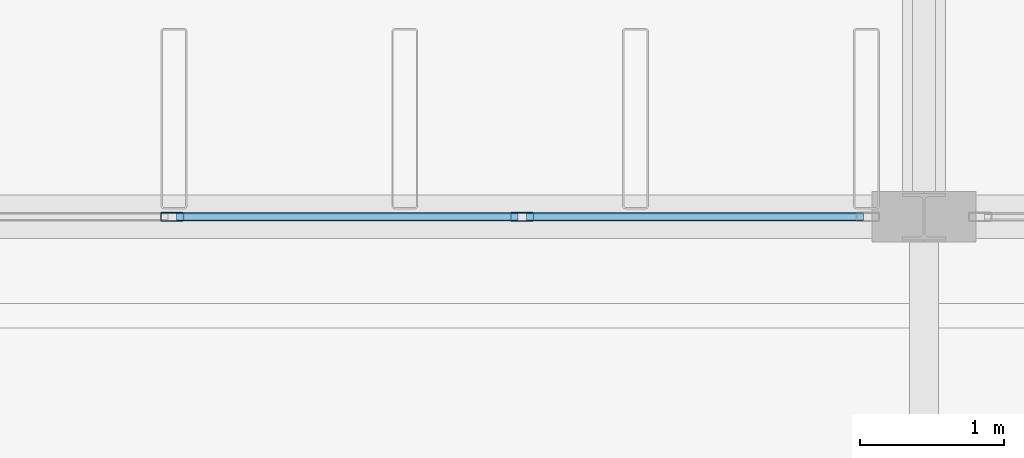
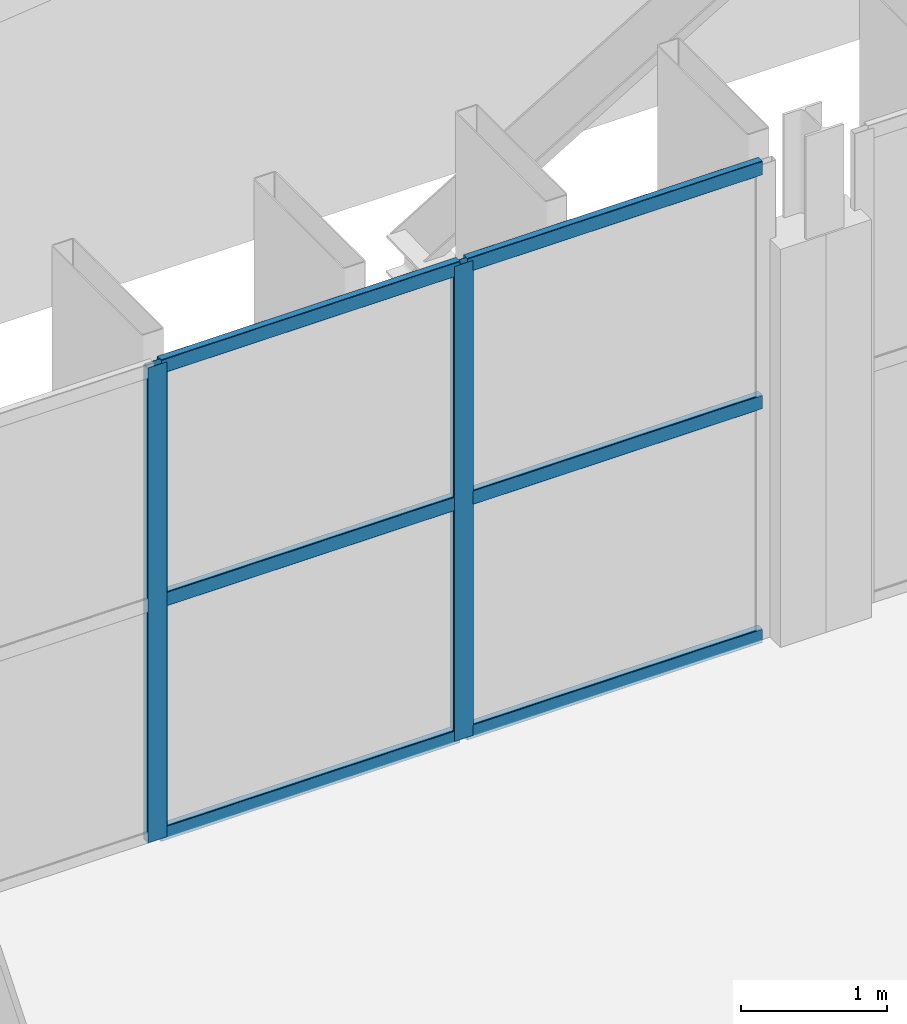
# One storey, part 25 of 93: 8 members, 1 element without a shape of its own.
"""IFC4 building model written with IfcOpenShell, lengths in metres."""

from ifc_helpers import new_model, si_unit, direction, frame, origin, origin_2d, place, context, subcontext, project, spatial, hollow_rectangle, extrude, material, layer, layer_set, material_profile, profile_set, type_object, element, aggregate, save


model = new_model("IFC4")

# Units and contexts
model_context = context("Model", 3, precision=1e-05, world=origin(), true_north=direction((0.0, 1.0)))
body_context = subcontext(model_context, "Body", "Model", "MODEL_VIEW")
ifc_project = project(units=[si_unit("LENGTHUNIT", "METRE"), si_unit("AREAUNIT", "SQUARE_METRE"), si_unit("VOLUMEUNIT", "CUBIC_METRE"), si_unit("PLANEANGLEUNIT", "RADIAN"), si_unit("MASSUNIT", "GRAM", prefix="KILO")], contexts=[model_context])

# Site, building, storey
site_placement = place(None, origin())
site = spatial("IfcSite", under=ifc_project, at=site_placement, CompositionType="ELEMENT")
building_placement = place(site_placement, origin())
building = spatial("IfcBuilding", under=site, at=building_placement, Name="Vekula Escarpment Museum", CompositionType="ELEMENT")
storey_placement = place(building_placement, frame((0.0, 0.0, 22.199951171875)))
storey = spatial("IfcBuildingStorey", under=building, at=storey_placement, Name="L05", CompositionType="ELEMENT", Elevation=22.199951171875)

# Curtain wall, members
ifc_material_1 = material(Name="Aluminium thermally broken framing", Category="aluminium")
ifc_layer = layer(ifc_material_1, 0.159912109375)
ifc_layer_set = layer_set([ifc_layer], Name="Aluminium thermally broken framing")
curtain_wall_type = type_object("IfcCurtainWallType", Name="CW-SYS-02", PredefinedType="NOTDEFINED", material=ifc_layer_set)
curtain_wall_placement = place(storey_placement, origin())
curtain_wall = element("IfcCurtainWall", 1, at=curtain_wall_placement, inside=storey, type_object=curtain_wall_type, Name="Curtain Wall CW-L05-182", PredefinedType="NOTDEFINED")
ifc_material_2 = material(Name="Aluminium anodized mullion", Category="aluminium")
ifc_material_profile_1 = material_profile(ifc_material_2, hollow_rectangle(XDim=0.06005859375, YDim=0.159912109375, WallThickness=0.00390625, InnerFilletRadius=0.00390625, OuterFilletRadius=0.008056640625, at=origin_2d()), Name="ALU 160x60x4")
ifc_profile_set_1 = profile_set([ifc_material_profile_1], Name="Aluminium anodized mullion")
member_type_1 = type_object("IfcMemberType", Name="CW-MUL-160", PredefinedType="MULLION", material=ifc_profile_set_1)
member_1_placement = place(storey_placement, frame((75.21337890625, 90.39990234375, 0.0), z_axis=(0.0, 0.0, 1.0), x_axis=(0.0, -1.0, 0.0)))
member_1 = element("IfcMember", 2, at=member_1_placement, type_object=member_type_1, Name="CW-02 mullion 2", PredefinedType="MULLION", context=body_context, shape_type="SweptSolid", body=[
    extrude(hollow_rectangle(XDim=0.06005859375, YDim=0.159912109375, WallThickness=0.00390625, InnerFilletRadius=0.00390625, OuterFilletRadius=0.008056640625, at=origin_2d()), origin(), (0.0, 0.0, 1.0), 3.97998046875),
])
member_2_placement = place(storey_placement, frame((72.78662109375, 90.39990234375, 0.0), z_axis=(0.0, 0.0, 1.0), x_axis=(0.0, -1.0, 0.0)))
member_2 = element("IfcMember", 3, at=member_2_placement, type_object=member_type_1, Name="CW-02 mullion 3", PredefinedType="MULLION", context=body_context, shape_type="SweptSolid", body=[
    extrude(hollow_rectangle(XDim=0.06005859375, YDim=0.159912109375, WallThickness=0.00390625, InnerFilletRadius=0.00390625, OuterFilletRadius=0.008056640625, at=origin_2d()), origin(), (0.0, 0.0, 1.0), 3.97998046875),
])
ifc_material_3 = material(Name="Aluminium anodized transom", Category="aluminium")
ifc_material_profile_2 = material_profile(ifc_material_3, hollow_rectangle(XDim=0.06005859375, YDim=0.1201171875, WallThickness=0.00390625, InnerFilletRadius=0.00390625, OuterFilletRadius=0.008056640625, at=origin_2d()), Name="ALU 120x60x4")
ifc_profile_set_2 = profile_set([ifc_material_profile_2], Name="Aluminium anodized transom")
member_type_2 = type_object("IfcMemberType", Name="CW-TRN-120", PredefinedType="USERDEFINED", material=ifc_profile_set_2)
member_3_placement = place(storey_placement, frame((77.580078125, 90.39990234375, 0.030029296875), z_axis=(-1.0, 0.0, 0.0), x_axis=(0.0, -1.0, 0.0)))
member_3 = element("IfcMember", 4, at=member_3_placement, type_object=member_type_2, Name="CW-02 transom 1.1", ObjectType="TRANSOM", PredefinedType="USERDEFINED", context=body_context, shape_type="SweptSolid", body=[
    extrude(hollow_rectangle(XDim=0.06005859375, YDim=0.1201171875, WallThickness=0.00390625, InnerFilletRadius=0.00390625, OuterFilletRadius=0.008056640625, at=origin_2d()), origin(), (0.0, 0.0, 1.0), 2.336669921875),
])
member_4_placement = place(storey_placement, frame((77.580078125, 90.39990234375, 1.989990234375), z_axis=(-1.0, 0.0, 0.0), x_axis=(0.0, -1.0, 0.0)))
member_4 = element("IfcMember", 5, at=member_4_placement, type_object=member_type_2, Name="CW-02 transom 1.2", ObjectType="TRANSOM", PredefinedType="USERDEFINED", context=body_context, shape_type="SweptSolid", body=[
    extrude(hollow_rectangle(XDim=0.06005859375, YDim=0.1201171875, WallThickness=0.00390625, InnerFilletRadius=0.00390625, OuterFilletRadius=0.008056640625, at=origin_2d()), origin(), (0.0, 0.0, 1.0), 2.336669921875),
])
member_5_placement = place(storey_placement, frame((77.580078125, 90.39990234375, 3.949951171875), z_axis=(-1.0, 0.0, 0.0), x_axis=(0.0, -1.0, 0.0)))
member_5 = element("IfcMember", 6, at=member_5_placement, type_object=member_type_2, Name="CW-02 transom 1.3", ObjectType="TRANSOM", PredefinedType="USERDEFINED", context=body_context, shape_type="SweptSolid", body=[
    extrude(hollow_rectangle(XDim=0.06005859375, YDim=0.1201171875, WallThickness=0.00390625, InnerFilletRadius=0.00390625, OuterFilletRadius=0.008056640625, at=origin_2d()), origin(), (0.0, 0.0, 1.0), 2.336669921875),
])
member_6_placement = place(storey_placement, frame((75.183349609375, 90.39990234375, 0.030029296875), z_axis=(-1.0, 0.0, 0.0), x_axis=(0.0, -1.0, 0.0)))
member_6 = element("IfcMember", 7, at=member_6_placement, type_object=member_type_2, Name="CW-02 transom 2.1", ObjectType="TRANSOM", PredefinedType="USERDEFINED", context=body_context, shape_type="SweptSolid", body=[
    extrude(hollow_rectangle(XDim=0.06005859375, YDim=0.1201171875, WallThickness=0.00390625, InnerFilletRadius=0.00390625, OuterFilletRadius=0.008056640625, at=origin_2d()), origin(), (0.0, 0.0, 1.0), 2.36669921875),
])
member_7_placement = place(storey_placement, frame((75.183349609375, 90.39990234375, 1.989990234375), z_axis=(-1.0, 0.0, 0.0), x_axis=(0.0, -1.0, 0.0)))
member_7 = element("IfcMember", 8, at=member_7_placement, type_object=member_type_2, Name="CW-02 transom 2.2", ObjectType="TRANSOM", PredefinedType="USERDEFINED", context=body_context, shape_type="SweptSolid", body=[
    extrude(hollow_rectangle(XDim=0.06005859375, YDim=0.1201171875, WallThickness=0.00390625, InnerFilletRadius=0.00390625, OuterFilletRadius=0.008056640625, at=origin_2d()), origin(), (0.0, 0.0, 1.0), 2.36669921875),
])
member_8_placement = place(storey_placement, frame((75.183349609375, 90.39990234375, 3.949951171875), z_axis=(-1.0, 0.0, 0.0), x_axis=(0.0, -1.0, 0.0)))
member_8 = element("IfcMember", 9, at=member_8_placement, type_object=member_type_2, Name="CW-02 transom 2.3", ObjectType="TRANSOM", PredefinedType="USERDEFINED", context=body_context, shape_type="SweptSolid", body=[
    extrude(hollow_rectangle(XDim=0.06005859375, YDim=0.1201171875, WallThickness=0.00390625, InnerFilletRadius=0.00390625, OuterFilletRadius=0.008056640625, at=origin_2d()), origin(), (0.0, 0.0, 1.0), 2.36669921875),
])
aggregate(curtain_wall, [member_1, member_2, member_3, member_4, member_5, member_6, member_7, member_8])

save(model, "model.ifc")
